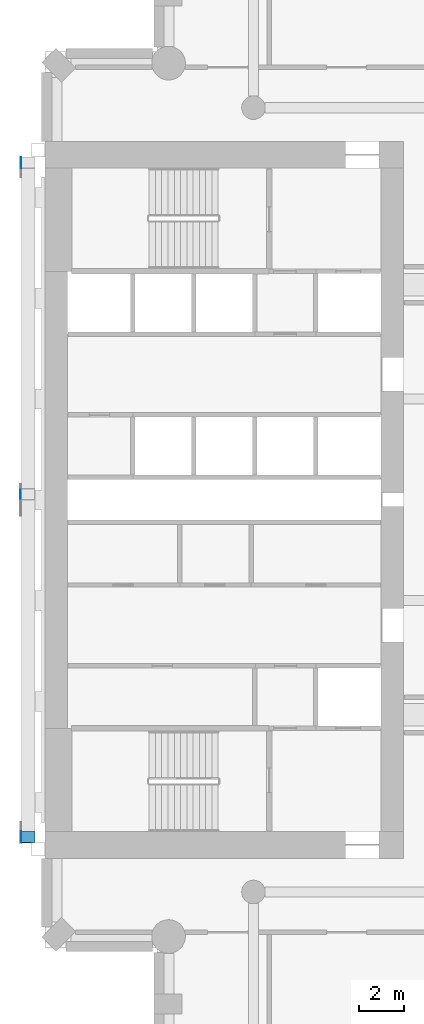
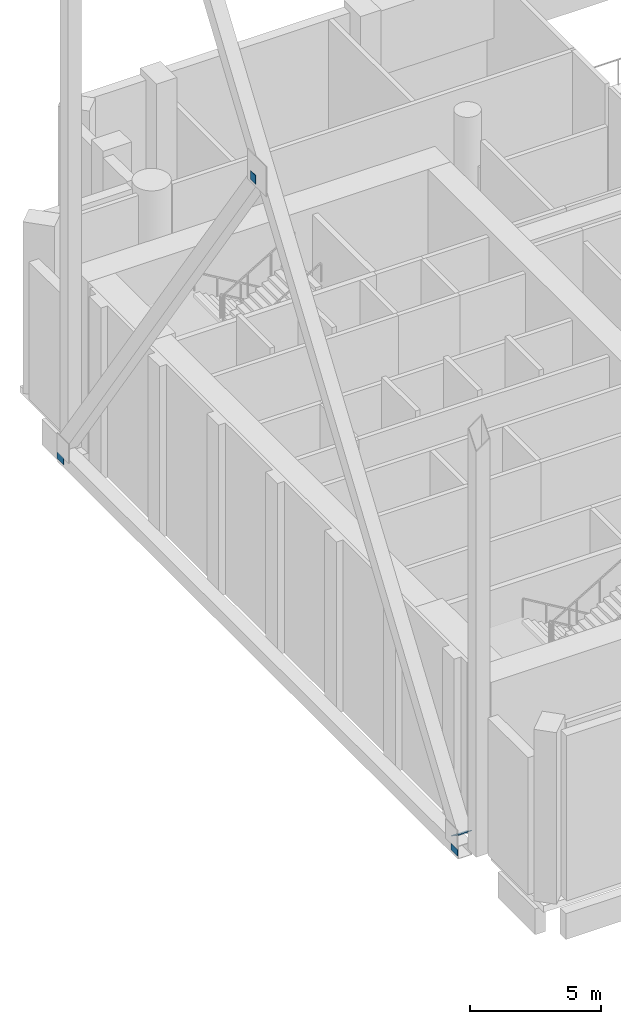
# One storey, part 6 of 14: 4 discrete accessories.
"""IFC4 building model written with IfcOpenShell, lengths in metres."""

import ifcopenshell
import ifcopenshell.guid

model = None  # the IFC model being written
_history = None  # IfcOwnerHistory: only IFC2X3 demands one
_inside = {}  # id of a spatial element -> (the spatial element, [elements in it])
_under = {}  # id of a project, library or spatial element -> (it, [spatial elements below it])
_declared = {}  # id of a project -> (the project, [libraries it declares])
_typed = {}  # id of a type object -> (the type object, [elements of that type])
_made_of = {}  # id of a material, layer set ... -> (it, [elements and type objects made of it])


def new_model(schema):
    """Start an empty IFC model of exactly this schema.

    Asked for "IFC4X3", IfcOpenShell would pick the latest addendum, in which some entities
    have other attributes; the version numbers below select the first issue.
    IFC2X3 requires an IfcOwnerHistory on every rooted entity: one is made here for all.
    """
    global model, _history
    if schema == "IFC4X3":
        model = ifcopenshell.file(schema_version=(4, 3, 0, 0))
    else:
        model = ifcopenshell.file(schema=schema)
    _inside.clear()
    _under.clear()
    _declared.clear()
    _typed.clear()
    _made_of.clear()
    _history = None
    if model.schema == "IFC2X3":
        org = make("IfcOrganization", Name="unknown")
        user = make(
            "IfcPersonAndOrganization",
            ThePerson=make("IfcPerson", FamilyName="unknown"),
            TheOrganization=org,
        )
        app = make(
            "IfcApplication",
            ApplicationDeveloper=org,
            Version="unknown",
            ApplicationFullName="unknown",
            ApplicationIdentifier="unknown",
        )
        _history = make(
            "IfcOwnerHistory",
            OwningUser=user,
            OwningApplication=app,
            ChangeAction="ADDED",
            CreationDate=0,
        )
    return model


def make(cls, **values):
    """One entity of the class cls with the attributes given. An attribute that is None is left unset."""
    return model.create_entity(
        cls, **{name: value for name, value in values.items() if value is not None}
    )


def rooted(cls, **values):
    """An entity with a GlobalId (a new one), such as an element, a storey or a relation."""
    return make(cls, GlobalId=ifcopenshell.guid.new(), OwnerHistory=_history, **values)


def si_unit(unit_type, name, prefix=None):
    """IfcSIUnit, for example si_unit("LENGTHUNIT", "METRE", prefix="MILLI")."""
    return make("IfcSIUnit", UnitType=unit_type, Prefix=prefix, Name=name)


def assignment(units):
    """IfcUnitAssignment: the units of a project."""
    return None if units is None else make("IfcUnitAssignment", Units=units)


def point(xyz):
    """IfcCartesianPoint."""
    return None if xyz is None else make("IfcCartesianPoint", Coordinates=xyz)


def direction(xyz):
    """IfcDirection."""
    return None if xyz is None else make("IfcDirection", DirectionRatios=xyz)


def frame(location, z_axis=None, x_axis=None):
    """IfcAxis2Placement3D, a coordinate frame: its origin and axes. An axis left out is left unset."""
    return make(
        "IfcAxis2Placement3D",
        Location=point(location),
        Axis=direction(z_axis),
        RefDirection=direction(x_axis),
    )


def frame_2d(location, x_axis=None):
    """IfcAxis2Placement2D, a coordinate frame in the plane: its origin and x axis."""
    return make(
        "IfcAxis2Placement2D", Location=point(location), RefDirection=direction(x_axis)
    )


def origin():
    """The frame at (0, 0, 0) with its axes left unset."""
    return frame((0.0, 0.0, 0.0))


def origin_2d():
    """The frame at (0, 0) in the plane with its x axis left unset."""
    return frame_2d((0.0, 0.0))


def place(relative_to, where):
    """IfcLocalPlacement: puts the frame where relative to a parent placement (None: the world)."""
    return make(
        "IfcLocalPlacement", PlacementRelTo=relative_to, RelativePlacement=where
    )


def context(
    kind, dimensions, precision=None, world=None, true_north=None, identifier=None
):
    """IfcGeometricRepresentationContext, for example the 3D "Model" context."""
    return make(
        "IfcGeometricRepresentationContext",
        ContextIdentifier=identifier,
        ContextType=kind,
        CoordinateSpaceDimension=dimensions,
        Precision=precision,
        WorldCoordinateSystem=world,
        TrueNorth=true_north,
    )


def subcontext(parent, identifier, kind, view, scale=None):
    """IfcGeometricRepresentationSubContext, for example "Body" below "Model"."""
    return make(
        "IfcGeometricRepresentationSubContext",
        ContextIdentifier=identifier,
        ContextType=kind,
        ParentContext=parent,
        TargetScale=scale,
        TargetView=view,
    )


def project(units=None, contexts=None):
    """IfcProject with its units and contexts."""
    return rooted(
        "IfcProject",
        Name="project",
        RepresentationContexts=contexts,
        UnitsInContext=assignment(units),
    )


def spatial(cls, under=None, at=None, **own):
    """A site, building, storey or space (cls), placed at a placement, below another one or the project."""
    s = rooted(cls, ObjectPlacement=at, **own)
    if under is not None:
        _under.setdefault(under.id(), (under, []))[1].append(s)
    return s


def profile(cls, at=None, kind="AREA", **sizes):
    """A parametric profile (cls). Its sizes go by their IFC names, for example OverallWidth=200.0."""
    return make(cls, ProfileType=kind, Position=at, **sizes)


def rectangle(**sizes):
    """IfcRectangleProfileDef."""
    return profile("IfcRectangleProfileDef", **sizes)


def extrude(swept, where, along, depth):
    """IfcExtrudedAreaSolid: the profile swept, set in the frame where, extruded along a direction by depth."""
    return make(
        "IfcExtrudedAreaSolid",
        SweptArea=swept,
        Position=where,
        ExtrudedDirection=direction(along),
        Depth=depth,
    )


def shape(context_of_items, identifier, shape_type, items):
    """IfcShapeRepresentation: the items that make up one representation, for example the "Body"."""
    return make(
        "IfcShapeRepresentation",
        ContextOfItems=context_of_items,
        RepresentationIdentifier=identifier,
        RepresentationType=shape_type,
        Items=items,
    )


def material(Name=None, Category=None):
    """IfcMaterial."""
    return make("IfcMaterial", Name=Name, Category=Category)


def material_profile(
    of_material, cross_section, Name=None, Category=None, Priority=None
):
    """IfcMaterialProfile: a cross section and its material."""
    return make(
        "IfcMaterialProfile",
        Name=Name,
        Material=of_material,
        Profile=cross_section,
        Priority=Priority,
        Category=Category,
    )


def profile_set(profiles, Name=None, composite=None):
    """IfcMaterialProfileSet."""
    return make(
        "IfcMaterialProfileSet",
        Name=Name,
        MaterialProfiles=profiles,
        CompositeProfile=composite,
    )


def made_of(thing, what):
    """Note that an element or type object is made of a material, layer set ...; save() writes the relation."""
    if what is not None:
        _made_of.setdefault(what.id(), (what, []))[1].append(thing)
    return thing


def type_object(cls, material=None, **own):
    """A type object (cls), such as IfcWallType, which elements share."""
    return made_of(rooted(cls, **own), material)


def element(
    cls,
    number,
    at=None,
    inside=None,
    cuts=None,
    type_object=None,
    material=None,
    context=None,
    identifier="Body",
    shape_type=None,
    held_by="IfcProductDefinitionShape",
    body=None,
    shapes=None,
    **own,
):
    """One element of the class cls, such as IfcWall. Its Tag is "e" and its number.

    at: its placement. inside: the storey or other place that contains it. cuts: it is an
    opening in that element (IfcRelVoidsElement). A single representation is given by context,
    identifier, shape_type and body (its items); several are given by shapes. held_by: the class
    of the entity that holds the representations. save() writes the other relations.
    """
    e = rooted(cls, Tag="e%d" % number, ObjectPlacement=at, **own)
    if body is not None:
        shapes = [shape(context, identifier, shape_type, body)]
    if shapes is not None:
        e.Representation = make(held_by, Representations=shapes)
    if inside is not None:
        _inside.setdefault(inside.id(), (inside, []))[1].append(e)
    if cuts is not None:
        rooted(
            "IfcRelVoidsElement", RelatingBuildingElement=cuts, RelatedOpeningElement=e
        )
    if type_object is not None:
        _typed.setdefault(type_object.id(), (type_object, []))[1].append(e)
    return made_of(e, material)


def aggregate(whole, parts):
    """IfcRelAggregates: a whole, such as a stair, and the parts it consists of."""
    return rooted("IfcRelAggregates", RelatingObject=whole, RelatedObjects=parts)


def save(model, path):
    """Write the relations noted so far, then the file.

    IfcRelAggregates (storeys below a building ...), IfcRelContainedInSpatialStructure (elements
    in a storey), IfcRelDefinesByType, IfcRelAssociatesMaterial and IfcRelDeclares: one each for
    every whole, place, type object, material and project.
    """
    for whole, parts in _under.values():
        aggregate(whole, parts)
    for where, things in _inside.values():
        rooted(
            "IfcRelContainedInSpatialStructure",
            RelatedElements=things,
            RelatingStructure=where,
        )
    for kind, things in _typed.values():
        rooted("IfcRelDefinesByType", RelatedObjects=things, RelatingType=kind)
    for what, things in _made_of.values():
        rooted("IfcRelAssociatesMaterial", RelatedObjects=things, RelatingMaterial=what)
    for by, libraries in _declared.values():
        rooted("IfcRelDeclares", RelatingContext=by, RelatedDefinitions=libraries)
    model.write(path)


model = new_model("IFC4")

# Units and contexts
model_context = context("Model", 3, precision=1e-05, world=origin(), true_north=direction((0.0, 1.0)))
body_context = subcontext(model_context, "Body", "Model", "MODEL_VIEW")
ifc_project = project(units=[si_unit("LENGTHUNIT", "METRE"), si_unit("AREAUNIT", "SQUARE_METRE"), si_unit("VOLUMEUNIT", "CUBIC_METRE"), si_unit("PLANEANGLEUNIT", "RADIAN"), si_unit("MASSUNIT", "GRAM", prefix="KILO")], contexts=[model_context])

# Site, building, storey
site_placement = place(None, origin())
site = spatial("IfcSite", under=ifc_project, at=site_placement, CompositionType="ELEMENT")
building_placement = place(site_placement, origin())
building = spatial("IfcBuilding", under=site, at=building_placement, Name="Cypress Arch Tower", CompositionType="ELEMENT")
storey_placement = place(building_placement, frame((0.0, 0.0, 152.5)))
storey = spatial("IfcBuildingStorey", under=building, at=storey_placement, Name="L33", CompositionType="ELEMENT", Elevation=152.5)

# Discrete accessories
ifc_material_1 = material(Name="Steel ASTM A992", Category="steel")
ifc_material_profile_1 = material_profile(ifc_material_1, rectangle(XDim=0.609619140625, YDim=0.609619140625, at=origin_2d()), Name="PL 20 610x610")
ifc_profile_set_1 = profile_set([ifc_material_profile_1], Name="Steel ASTM A992")
discrete_accessory_type_1 = type_object("IfcDiscreteAccessoryType", Name="End cap plate 610x610x20 Steel ASTM A992", PredefinedType="ANCHORPLATE", material=ifc_profile_set_1)
discrete_accessory_1_placement = place(storey_placement, frame((-30.7548828125, -15.044921875, 0.667236328125), z_axis=(0.0, -0.560309367704, -0.828283413128), x_axis=(1.0, 0.0, 0.0)))
element("IfcDiscreteAccessory", 1, at=discrete_accessory_1_placement, inside=storey, type_object=discrete_accessory_type_1, Name="End cap plate west bracing 3", PredefinedType="ANCHORPLATE", context=body_context, shape_type="SweptSolid", body=[
    extrude(rectangle(XDim=0.609619140625, YDim=0.609619140625, at=origin_2d()), origin(), (0.0, 0.0, 1.0), 0.02001953125),
])
ifc_material_2 = material(Name="Steel ASTM A992", Category="steel")
ifc_material_profile_2 = material_profile(ifc_material_2, rectangle(XDim=0.5, YDim=0.300048828125, at=origin_2d()), Name="PL 20 500x300")
ifc_profile_set_2 = profile_set([ifc_material_profile_2], Name="Steel ASTM A992")
discrete_accessory_type_2 = type_object("IfcDiscreteAccessoryType", Name="West bracing chord end plate 500x300x20 Steel ASTM A992", PredefinedType="ANCHORPLATE", material=ifc_profile_set_2)
for number, where, z_axis, x_axis, name in (
    (2, (-31.0595703125, -15.045166015625, 0.0), (-1.0, 0.0, 0.0), (0.0, -1.0, 0.0), "End plate west bracing chord 3S"),
    (3, (-31.0595703125, 15.045166015625, 0.0), (-1.0, 0.0, 0.0), (0.0, -1.0, 0.0), "End plate west bracing chord 3N"),
):
    element("IfcDiscreteAccessory", number, at=place(storey_placement, frame(where, z_axis=z_axis, x_axis=x_axis)), inside=storey, type_object=discrete_accessory_type_2, Name=name, PredefinedType="ANCHORPLATE", context=body_context, shape_type="SweptSolid", body=[
        extrude(rectangle(XDim=0.5, YDim=0.300048828125, at=origin_2d()), origin(), (0.0, 0.0, 1.0), 0.02001953125),
    ])
ifc_material_3 = material(Name="Steel ASTM A992", Category="steel")
ifc_material_profile_3 = material_profile(ifc_material_3, rectangle(XDim=0.39990234375, YDim=0.39990234375, at=origin_2d()), Name="PL 20 400x400")
ifc_profile_set_3 = profile_set([ifc_material_profile_3], Name="Steel ASTM A992")
discrete_accessory_type_3 = type_object("IfcDiscreteAccessoryType", Name="West bracing diagonal end plate 400x400x20 Steel ASTM A992", PredefinedType="ANCHORPLATE", material=ifc_profile_set_3)
discrete_accessory_2_placement = place(storey_placement, frame((-31.099609375, 0.25048828125, 22.08740234375), z_axis=(-1.0, 0.0, 0.0), x_axis=(0.0, -1.0, 0.0)))
element("IfcDiscreteAccessory", 4, at=discrete_accessory_2_placement, inside=storey, type_object=discrete_accessory_type_3, Name="End plate west bracing diagonal 3C", PredefinedType="ANCHORPLATE", context=body_context, shape_type="SweptSolid", body=[
    extrude(rectangle(XDim=0.39990234375, YDim=0.39990234375, at=origin_2d()), origin(), (0.0, 0.0, 1.0), 0.02001953125),
])

save(model, "model.ifc")
